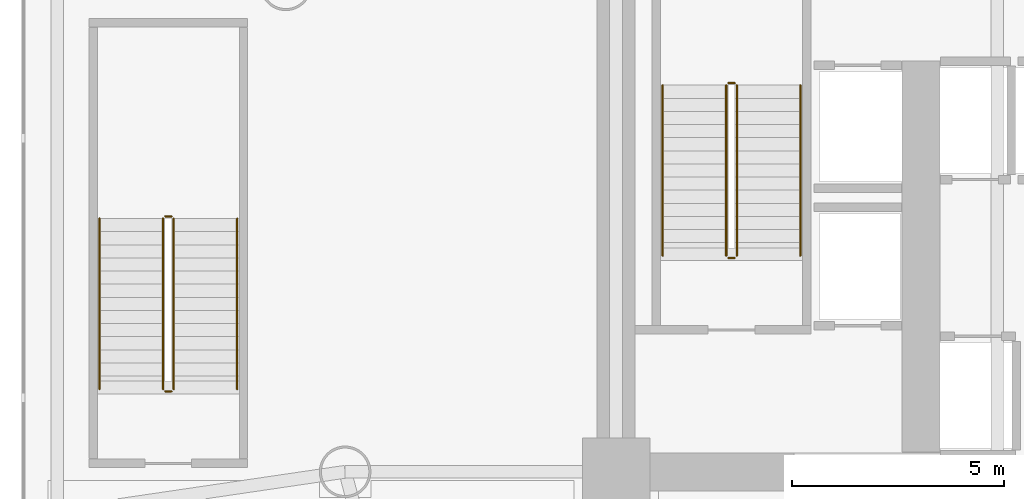
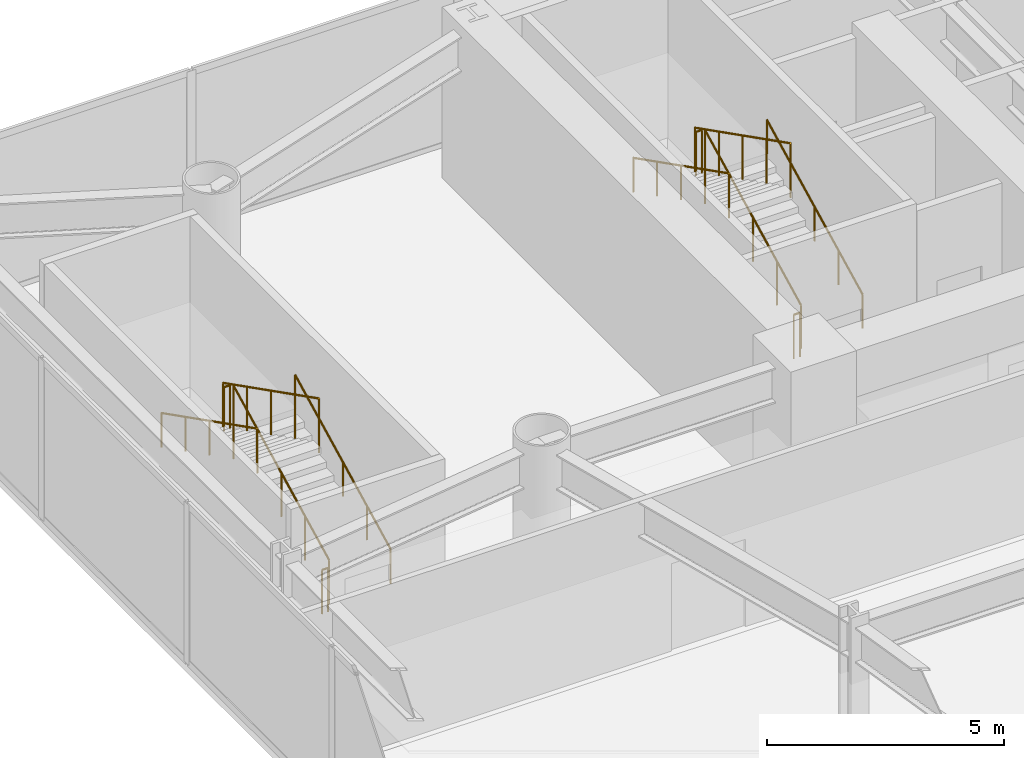
# One storey, part 21 of 24: 12 railings.
"""IFC4 building model written with IfcOpenShell, lengths in metres."""

import ifcopenshell
import ifcopenshell.guid

model = None  # the IFC model being written
_history = None  # IfcOwnerHistory: only IFC2X3 demands one
_inside = {}  # id of a spatial element -> (the spatial element, [elements in it])
_under = {}  # id of a project, library or spatial element -> (it, [spatial elements below it])
_declared = {}  # id of a project -> (the project, [libraries it declares])
_typed = {}  # id of a type object -> (the type object, [elements of that type])
_made_of = {}  # id of a material, layer set ... -> (it, [elements and type objects made of it])


def new_model(schema):
    """Start an empty IFC model of exactly this schema.

    Asked for "IFC4X3", IfcOpenShell would pick the latest addendum, in which some entities
    have other attributes; the version numbers below select the first issue.
    IFC2X3 requires an IfcOwnerHistory on every rooted entity: one is made here for all.
    """
    global model, _history
    if schema == "IFC4X3":
        model = ifcopenshell.file(schema_version=(4, 3, 0, 0))
    else:
        model = ifcopenshell.file(schema=schema)
    _inside.clear()
    _under.clear()
    _declared.clear()
    _typed.clear()
    _made_of.clear()
    _history = None
    if model.schema == "IFC2X3":
        org = make("IfcOrganization", Name="unknown")
        user = make(
            "IfcPersonAndOrganization",
            ThePerson=make("IfcPerson", FamilyName="unknown"),
            TheOrganization=org,
        )
        app = make(
            "IfcApplication",
            ApplicationDeveloper=org,
            Version="unknown",
            ApplicationFullName="unknown",
            ApplicationIdentifier="unknown",
        )
        _history = make(
            "IfcOwnerHistory",
            OwningUser=user,
            OwningApplication=app,
            ChangeAction="ADDED",
            CreationDate=0,
        )
    return model


def make(cls, **values):
    """One entity of the class cls with the attributes given. An attribute that is None is left unset."""
    return model.create_entity(
        cls, **{name: value for name, value in values.items() if value is not None}
    )


def rooted(cls, **values):
    """An entity with a GlobalId (a new one), such as an element, a storey or a relation."""
    return make(cls, GlobalId=ifcopenshell.guid.new(), OwnerHistory=_history, **values)


def si_unit(unit_type, name, prefix=None):
    """IfcSIUnit, for example si_unit("LENGTHUNIT", "METRE", prefix="MILLI")."""
    return make("IfcSIUnit", UnitType=unit_type, Prefix=prefix, Name=name)


def assignment(units):
    """IfcUnitAssignment: the units of a project."""
    return None if units is None else make("IfcUnitAssignment", Units=units)


def point(xyz):
    """IfcCartesianPoint."""
    return None if xyz is None else make("IfcCartesianPoint", Coordinates=xyz)


def direction(xyz):
    """IfcDirection."""
    return None if xyz is None else make("IfcDirection", DirectionRatios=xyz)


def frame(location, z_axis=None, x_axis=None):
    """IfcAxis2Placement3D, a coordinate frame: its origin and axes. An axis left out is left unset."""
    return make(
        "IfcAxis2Placement3D",
        Location=point(location),
        Axis=direction(z_axis),
        RefDirection=direction(x_axis),
    )


def frame_2d(location, x_axis=None):
    """IfcAxis2Placement2D, a coordinate frame in the plane: its origin and x axis."""
    return make(
        "IfcAxis2Placement2D", Location=point(location), RefDirection=direction(x_axis)
    )


def origin():
    """The frame at (0, 0, 0) with its axes left unset."""
    return frame((0.0, 0.0, 0.0))


def origin_2d():
    """The frame at (0, 0) in the plane with its x axis left unset."""
    return frame_2d((0.0, 0.0))


def place(relative_to, where):
    """IfcLocalPlacement: puts the frame where relative to a parent placement (None: the world)."""
    return make(
        "IfcLocalPlacement", PlacementRelTo=relative_to, RelativePlacement=where
    )


def context(
    kind, dimensions, precision=None, world=None, true_north=None, identifier=None
):
    """IfcGeometricRepresentationContext, for example the 3D "Model" context."""
    return make(
        "IfcGeometricRepresentationContext",
        ContextIdentifier=identifier,
        ContextType=kind,
        CoordinateSpaceDimension=dimensions,
        Precision=precision,
        WorldCoordinateSystem=world,
        TrueNorth=true_north,
    )


def subcontext(parent, identifier, kind, view, scale=None):
    """IfcGeometricRepresentationSubContext, for example "Body" below "Model"."""
    return make(
        "IfcGeometricRepresentationSubContext",
        ContextIdentifier=identifier,
        ContextType=kind,
        ParentContext=parent,
        TargetScale=scale,
        TargetView=view,
    )


def project(units=None, contexts=None):
    """IfcProject with its units and contexts."""
    return rooted(
        "IfcProject",
        Name="project",
        RepresentationContexts=contexts,
        UnitsInContext=assignment(units),
    )


def spatial(cls, under=None, at=None, **own):
    """A site, building, storey or space (cls), placed at a placement, below another one or the project."""
    s = rooted(cls, ObjectPlacement=at, **own)
    if under is not None:
        _under.setdefault(under.id(), (under, []))[1].append(s)
    return s


def profile(cls, at=None, kind="AREA", **sizes):
    """A parametric profile (cls). Its sizes go by their IFC names, for example OverallWidth=200.0."""
    return make(cls, ProfileType=kind, Position=at, **sizes)


def circle(**sizes):
    """IfcCircleProfileDef."""
    return profile("IfcCircleProfileDef", **sizes)


def extrude(swept, where, along, depth):
    """IfcExtrudedAreaSolid: the profile swept, set in the frame where, extruded along a direction by depth."""
    return make(
        "IfcExtrudedAreaSolid",
        SweptArea=swept,
        Position=where,
        ExtrudedDirection=direction(along),
        Depth=depth,
    )


def shape(context_of_items, identifier, shape_type, items):
    """IfcShapeRepresentation: the items that make up one representation, for example the "Body"."""
    return make(
        "IfcShapeRepresentation",
        ContextOfItems=context_of_items,
        RepresentationIdentifier=identifier,
        RepresentationType=shape_type,
        Items=items,
    )


def material(Name=None, Category=None):
    """IfcMaterial."""
    return make("IfcMaterial", Name=Name, Category=Category)


def made_of(thing, what):
    """Note that an element or type object is made of a material, layer set ...; save() writes the relation."""
    if what is not None:
        _made_of.setdefault(what.id(), (what, []))[1].append(thing)
    return thing


def type_object(cls, material=None, **own):
    """A type object (cls), such as IfcWallType, which elements share."""
    return made_of(rooted(cls, **own), material)


def element(
    cls,
    number,
    at=None,
    inside=None,
    cuts=None,
    type_object=None,
    material=None,
    context=None,
    identifier="Body",
    shape_type=None,
    held_by="IfcProductDefinitionShape",
    body=None,
    shapes=None,
    **own,
):
    """One element of the class cls, such as IfcWall. Its Tag is "e" and its number.

    at: its placement. inside: the storey or other place that contains it. cuts: it is an
    opening in that element (IfcRelVoidsElement). A single representation is given by context,
    identifier, shape_type and body (its items); several are given by shapes. held_by: the class
    of the entity that holds the representations. save() writes the other relations.
    """
    e = rooted(cls, Tag="e%d" % number, ObjectPlacement=at, **own)
    if body is not None:
        shapes = [shape(context, identifier, shape_type, body)]
    if shapes is not None:
        e.Representation = make(held_by, Representations=shapes)
    if inside is not None:
        _inside.setdefault(inside.id(), (inside, []))[1].append(e)
    if cuts is not None:
        rooted(
            "IfcRelVoidsElement", RelatingBuildingElement=cuts, RelatedOpeningElement=e
        )
    if type_object is not None:
        _typed.setdefault(type_object.id(), (type_object, []))[1].append(e)
    return made_of(e, material)


def aggregate(whole, parts):
    """IfcRelAggregates: a whole, such as a stair, and the parts it consists of."""
    return rooted("IfcRelAggregates", RelatingObject=whole, RelatedObjects=parts)


def save(model, path):
    """Write the relations noted so far, then the file.

    IfcRelAggregates (storeys below a building ...), IfcRelContainedInSpatialStructure (elements
    in a storey), IfcRelDefinesByType, IfcRelAssociatesMaterial and IfcRelDeclares: one each for
    every whole, place, type object, material and project.
    """
    for whole, parts in _under.values():
        aggregate(whole, parts)
    for where, things in _inside.values():
        rooted(
            "IfcRelContainedInSpatialStructure",
            RelatedElements=things,
            RelatingStructure=where,
        )
    for kind, things in _typed.values():
        rooted("IfcRelDefinesByType", RelatedObjects=things, RelatingType=kind)
    for what, things in _made_of.values():
        rooted("IfcRelAssociatesMaterial", RelatedObjects=things, RelatingMaterial=what)
    for by, libraries in _declared.values():
        rooted("IfcRelDeclares", RelatingContext=by, RelatedDefinitions=libraries)
    model.write(path)


model = new_model("IFC4")

# Units and contexts
model_context = context("Model", 3, precision=1e-05, world=origin(), true_north=direction((0.0, 1.0)))
body_context = subcontext(model_context, "Body", "Model", "MODEL_VIEW")
ifc_project = project(units=[si_unit("LENGTHUNIT", "METRE"), si_unit("AREAUNIT", "SQUARE_METRE"), si_unit("VOLUMEUNIT", "CUBIC_METRE"), si_unit("PLANEANGLEUNIT", "RADIAN"), si_unit("MASSUNIT", "GRAM", prefix="KILO")], contexts=[model_context])

# Site, building, storey
site_placement = place(None, origin())
site = spatial("IfcSite", under=ifc_project, at=site_placement, CompositionType="ELEMENT")
building_placement = place(site_placement, origin())
building = spatial("IfcBuilding", under=site, at=building_placement, Name="Vaeldorn Concourse Tower", CompositionType="ELEMENT")
storey_placement = place(building_placement, frame((0.0, 0.0, 10.0)))
storey = spatial("IfcBuildingStorey", under=building, at=storey_placement, Name="L02", CompositionType="ELEMENT", Elevation=10.0)

# Railings
ifc_material = material(Name="Anodised Bronze Aluminium", Category="aluminium")
railing_type_1 = type_object("IfcRailingType", Name="RL-STAIR-GUARD", PredefinedType="GUARDRAIL", material=ifc_material)
railing_1_placement = place(storey_placement, frame((16.85009765625, 41.60009765625, 0.1572265625)))
element("IfcRailing", 1, at=railing_1_placement, inside=storey, type_object=railing_type_1, Name="L02 ST-1 stair guard 1", PredefinedType="GUARDRAIL", context=body_context, shape_type="SweptSolid", body=[
    extrude(circle(Radius=0.02392578125, at=origin_2d()), frame((0.0, 0.0, 1.1259765625), z_axis=(0.0, 0.891949485669, 0.452135062801), x_axis=(-1.0, 0.0, 0.0)), (0.0, 0.0, 1.0), 4.51806640625),
    extrude(circle(Radius=0.02099609375, at=origin_2d()), origin(), (0.0, 0.0, 1.0), 1.101806640625),
    extrude(circle(Radius=0.02099609375, at=origin_2d()), frame((0.0, 1.00732421875, 0.5107421875)), (0.0, 0.0, 1.0), 1.101806640625),
    extrude(circle(Radius=0.02099609375, at=origin_2d()), frame((0.0, 2.014892578125, 1.021484375)), (0.0, 0.0, 1.0), 1.101806640625),
    extrude(circle(Radius=0.02099609375, at=origin_2d()), frame((0.0, 3.0224609375, 1.531982421875)), (0.0, 0.0, 1.0), 1.101806640625),
    extrude(circle(Radius=0.02099609375, at=origin_2d()), frame((0.0, 4.02978515625, 2.042724609375)), (0.0, 0.0, 1.0), 1.101806640625),
])
railing_2_placement = place(storey_placement, frame((16.800048828125, 45.679931640625, 2.199951171875)))
element("IfcRailing", 2, at=railing_2_placement, inside=storey, type_object=railing_type_1, Name="L02 ST-1 stair guard 2", PredefinedType="GUARDRAIL", context=body_context, shape_type="SweptSolid", body=[
    extrude(circle(Radius=0.02392578125, at=origin_2d()), frame((0.0, 0.0, 1.1259765625), z_axis=(-1.0, 0.0, 0.0), x_axis=(0.0, -1.0, 0.0)), (0.0, 0.0, 1.0), 0.150146484375),
    extrude(circle(Radius=0.02099609375, at=origin_2d()), origin(), (0.0, 0.0, 1.0), 1.101806640625),
    extrude(circle(Radius=0.02099609375, at=origin_2d()), frame((-0.150146484375, 0.0, 0.0)), (0.0, 0.0, 1.0), 1.101806640625),
])
railing_3_placement = place(storey_placement, frame((16.60009765625, 45.6298828125, 2.357177734375)))
element("IfcRailing", 3, at=railing_3_placement, inside=storey, type_object=railing_type_1, Name="L02 ST-1 stair guard 3", PredefinedType="GUARDRAIL", context=body_context, shape_type="SweptSolid", body=[
    extrude(circle(Radius=0.02392578125, at=origin_2d()), frame((0.0, 0.0, 1.1259765625), z_axis=(0.0, -0.891949485669, 0.452135062801), x_axis=(1.0, 0.0, 0.0)), (0.0, 0.0, 1.0), 4.51806640625),
    extrude(circle(Radius=0.02099609375, at=origin_2d()), origin(), (0.0, 0.0, 1.0), 1.101806640625),
    extrude(circle(Radius=0.02099609375, at=origin_2d()), frame((0.0, -1.00732421875, 0.5107421875)), (0.0, 0.0, 1.0), 1.101806640625),
    extrude(circle(Radius=0.02099609375, at=origin_2d()), frame((0.0, -2.014892578125, 1.021484375)), (0.0, 0.0, 1.0), 1.101806640625),
    extrude(circle(Radius=0.02099609375, at=origin_2d()), frame((0.0, -3.0224609375, 1.531982421875)), (0.0, 0.0, 1.0), 1.101806640625),
    extrude(circle(Radius=0.02099609375, at=origin_2d()), frame((0.0, -4.02978515625, 2.042724609375)), (0.0, 0.0, 1.0), 1.101806640625),
])
railing_4_placement = place(storey_placement, frame((16.800048828125, 41.550048828125, 0.0)))
element("IfcRailing", 4, at=railing_4_placement, inside=storey, type_object=railing_type_1, Name="L02 ST-1 stair guard 4", PredefinedType="GUARDRAIL", context=body_context, shape_type="SweptSolid", body=[
    extrude(circle(Radius=0.02392578125, at=origin_2d()), frame((0.0, 0.0, 1.1259765625), z_axis=(-1.0, 0.0, 0.0), x_axis=(0.0, -1.0, 0.0)), (0.0, 0.0, 1.0), 0.150146484375),
    extrude(circle(Radius=0.02099609375, at=origin_2d()), origin(), (0.0, 0.0, 1.0), 1.101806640625),
    extrude(circle(Radius=0.02099609375, at=origin_2d()), frame((-0.150146484375, 0.0, 0.0)), (0.0, 0.0, 1.0), 1.101806640625),
])
railing_5_placement = place(storey_placement, frame((3.550048828125, 38.449951171875, 0.1572265625)))
element("IfcRailing", 5, at=railing_5_placement, inside=storey, type_object=railing_type_1, Name="L02 ST-3 stair guard 1", PredefinedType="GUARDRAIL", context=body_context, shape_type="SweptSolid", body=[
    extrude(circle(Radius=0.02392578125, at=origin_2d()), frame((0.0, 0.0, 1.1259765625), z_axis=(0.0, 0.891960531628, 0.452113271226), x_axis=(-1.0, 0.0, 0.0)), (0.0, 0.0, 1.0), 4.51806640625),
    extrude(circle(Radius=0.02099609375, at=origin_2d()), origin(), (0.0, 0.0, 1.0), 1.101806640625),
    extrude(circle(Radius=0.02099609375, at=origin_2d()), frame((0.0, 1.007568359375, 0.5107421875)), (0.0, 0.0, 1.0), 1.101806640625),
    extrude(circle(Radius=0.02099609375, at=origin_2d()), frame((0.0, 2.01513671875, 1.021484375)), (0.0, 0.0, 1.0), 1.101806640625),
    extrude(circle(Radius=0.02099609375, at=origin_2d()), frame((0.0, 3.0224609375, 1.531982421875)), (0.0, 0.0, 1.0), 1.101806640625),
    extrude(circle(Radius=0.02099609375, at=origin_2d()), frame((0.0, 4.030029296875, 2.042724609375)), (0.0, 0.0, 1.0), 1.101806640625),
])
railing_6_placement = place(storey_placement, frame((3.5, 42.530029296875, 2.199951171875)))
element("IfcRailing", 6, at=railing_6_placement, inside=storey, type_object=railing_type_1, Name="L02 ST-3 stair guard 2", PredefinedType="GUARDRAIL", context=body_context, shape_type="SweptSolid", body=[
    extrude(circle(Radius=0.02392578125, at=origin_2d()), frame((0.0, 0.0, 1.1259765625), z_axis=(-1.0, 0.0, 0.0), x_axis=(0.0, -1.0, 0.0)), (0.0, 0.0, 1.0), 0.14990234375),
    extrude(circle(Radius=0.02099609375, at=origin_2d()), origin(), (0.0, 0.0, 1.0), 1.101806640625),
    extrude(circle(Radius=0.02099609375, at=origin_2d()), frame((-0.14990234375, 0.0, 0.0)), (0.0, 0.0, 1.0), 1.101806640625),
])
railing_7_placement = place(storey_placement, frame((3.300048828125, 42.47998046875, 2.357177734375)))
element("IfcRailing", 7, at=railing_7_placement, inside=storey, type_object=railing_type_1, Name="L02 ST-3 stair guard 3", PredefinedType="GUARDRAIL", context=body_context, shape_type="SweptSolid", body=[
    extrude(circle(Radius=0.02392578125, at=origin_2d()), frame((0.0, 0.0, 1.1259765625), z_axis=(0.0, -0.891960531628, 0.452113271226), x_axis=(1.0, 0.0, 0.0)), (0.0, 0.0, 1.0), 4.51806640625),
    extrude(circle(Radius=0.02099609375, at=origin_2d()), origin(), (0.0, 0.0, 1.0), 1.101806640625),
    extrude(circle(Radius=0.02099609375, at=origin_2d()), frame((0.0, -1.007568359375, 0.5107421875)), (0.0, 0.0, 1.0), 1.101806640625),
    extrude(circle(Radius=0.02099609375, at=origin_2d()), frame((0.0, -2.01513671875, 1.021484375)), (0.0, 0.0, 1.0), 1.101806640625),
    extrude(circle(Radius=0.02099609375, at=origin_2d()), frame((0.0, -3.0224609375, 1.531982421875)), (0.0, 0.0, 1.0), 1.101806640625),
    extrude(circle(Radius=0.02099609375, at=origin_2d()), frame((0.0, -4.030029296875, 2.042724609375)), (0.0, 0.0, 1.0), 1.101806640625),
])
railing_8_placement = place(storey_placement, frame((3.5, 38.39990234375, 0.0)))
element("IfcRailing", 8, at=railing_8_placement, inside=storey, type_object=railing_type_1, Name="L02 ST-3 stair guard 4", PredefinedType="GUARDRAIL", context=body_context, shape_type="SweptSolid", body=[
    extrude(circle(Radius=0.02392578125, at=origin_2d()), frame((0.0, 0.0, 1.1259765625), z_axis=(-1.0, 0.0, 0.0), x_axis=(0.0, -1.0, 0.0)), (0.0, 0.0, 1.0), 0.14990234375),
    extrude(circle(Radius=0.02099609375, at=origin_2d()), origin(), (0.0, 0.0, 1.0), 1.101806640625),
    extrude(circle(Radius=0.02099609375, at=origin_2d()), frame((-0.14990234375, 0.0, 0.0)), (0.0, 0.0, 1.0), 1.101806640625),
])
railing_type_2 = type_object("IfcRailingType", Name="RL-STAIR-HANDRAIL", PredefinedType="HANDRAIL", material=ifc_material)
railing_9_placement = place(storey_placement, frame((18.35009765625, 41.60009765625, 0.1572265625)))
element("IfcRailing", 9, at=railing_9_placement, inside=storey, type_object=railing_type_2, Name="L02 ST-1 stair handrail 1", PredefinedType="HANDRAIL", context=body_context, shape_type="SweptSolid", body=[
    extrude(circle(Radius=0.02392578125, at=origin_2d()), frame((0.0, 0.0, 0.8759765625), z_axis=(0.0, 0.891949485669, 0.452135062801), x_axis=(-1.0, 0.0, 0.0)), (0.0, 0.0, 1.0), 4.51806640625),
    extrude(circle(Radius=0.02099609375, at=origin_2d()), origin(), (0.0, 0.0, 1.0), 0.851806640625),
    extrude(circle(Radius=0.02099609375, at=origin_2d()), frame((0.0, 1.00732421875, 0.5107421875)), (0.0, 0.0, 1.0), 0.851806640625),
    extrude(circle(Radius=0.02099609375, at=origin_2d()), frame((0.0, 2.014892578125, 1.021484375)), (0.0, 0.0, 1.0), 0.851806640625),
    extrude(circle(Radius=0.02099609375, at=origin_2d()), frame((0.0, 3.0224609375, 1.531982421875)), (0.0, 0.0, 1.0), 0.851806640625),
    extrude(circle(Radius=0.02099609375, at=origin_2d()), frame((0.0, 4.02978515625, 2.042724609375)), (0.0, 0.0, 1.0), 0.851806640625),
])
railing_10_placement = place(storey_placement, frame((15.10009765625, 45.6298828125, 2.357177734375)))
element("IfcRailing", 10, at=railing_10_placement, inside=storey, type_object=railing_type_2, Name="L02 ST-1 stair handrail 2", PredefinedType="HANDRAIL", context=body_context, shape_type="SweptSolid", body=[
    extrude(circle(Radius=0.02392578125, at=origin_2d()), frame((0.0, 0.0, 0.8759765625), z_axis=(0.0, -0.891949485669, 0.452135062801), x_axis=(1.0, 0.0, 0.0)), (0.0, 0.0, 1.0), 4.51806640625),
    extrude(circle(Radius=0.02099609375, at=origin_2d()), origin(), (0.0, 0.0, 1.0), 0.851806640625),
    extrude(circle(Radius=0.02099609375, at=origin_2d()), frame((0.0, -1.00732421875, 0.5107421875)), (0.0, 0.0, 1.0), 0.851806640625),
    extrude(circle(Radius=0.02099609375, at=origin_2d()), frame((0.0, -2.014892578125, 1.021484375)), (0.0, 0.0, 1.0), 0.851806640625),
    extrude(circle(Radius=0.02099609375, at=origin_2d()), frame((0.0, -3.0224609375, 1.531982421875)), (0.0, 0.0, 1.0), 0.851806640625),
    extrude(circle(Radius=0.02099609375, at=origin_2d()), frame((0.0, -4.02978515625, 2.042724609375)), (0.0, 0.0, 1.0), 0.851806640625),
])
railing_11_placement = place(storey_placement, frame((5.050048828125, 38.449951171875, 0.1572265625)))
element("IfcRailing", 11, at=railing_11_placement, inside=storey, type_object=railing_type_2, Name="L02 ST-3 stair handrail 1", PredefinedType="HANDRAIL", context=body_context, shape_type="SweptSolid", body=[
    extrude(circle(Radius=0.02392578125, at=origin_2d()), frame((0.0, 0.0, 0.8759765625), z_axis=(0.0, 0.891960531628, 0.452113271226), x_axis=(-1.0, 0.0, 0.0)), (0.0, 0.0, 1.0), 4.51806640625),
    extrude(circle(Radius=0.02099609375, at=origin_2d()), origin(), (0.0, 0.0, 1.0), 0.851806640625),
    extrude(circle(Radius=0.02099609375, at=origin_2d()), frame((0.0, 1.007568359375, 0.5107421875)), (0.0, 0.0, 1.0), 0.851806640625),
    extrude(circle(Radius=0.02099609375, at=origin_2d()), frame((0.0, 2.01513671875, 1.021484375)), (0.0, 0.0, 1.0), 0.851806640625),
    extrude(circle(Radius=0.02099609375, at=origin_2d()), frame((0.0, 3.0224609375, 1.531982421875)), (0.0, 0.0, 1.0), 0.851806640625),
    extrude(circle(Radius=0.02099609375, at=origin_2d()), frame((0.0, 4.030029296875, 2.042724609375)), (0.0, 0.0, 1.0), 0.851806640625),
])
railing_12_placement = place(storey_placement, frame((1.800048828125, 42.47998046875, 2.357177734375)))
element("IfcRailing", 12, at=railing_12_placement, inside=storey, type_object=railing_type_2, Name="L02 ST-3 stair handrail 2", PredefinedType="HANDRAIL", context=body_context, shape_type="SweptSolid", body=[
    extrude(circle(Radius=0.02392578125, at=origin_2d()), frame((0.0, 0.0, 0.8759765625), z_axis=(0.0, -0.891960531628, 0.452113271226), x_axis=(1.0, 0.0, 0.0)), (0.0, 0.0, 1.0), 4.51806640625),
    extrude(circle(Radius=0.02099609375, at=origin_2d()), origin(), (0.0, 0.0, 1.0), 0.851806640625),
    extrude(circle(Radius=0.02099609375, at=origin_2d()), frame((0.0, -1.007568359375, 0.5107421875)), (0.0, 0.0, 1.0), 0.851806640625),
    extrude(circle(Radius=0.02099609375, at=origin_2d()), frame((0.0, -2.01513671875, 1.021484375)), (0.0, 0.0, 1.0), 0.851806640625),
    extrude(circle(Radius=0.02099609375, at=origin_2d()), frame((0.0, -3.0224609375, 1.531982421875)), (0.0, 0.0, 1.0), 0.851806640625),
    extrude(circle(Radius=0.02099609375, at=origin_2d()), frame((0.0, -4.030029296875, 2.042724609375)), (0.0, 0.0, 1.0), 0.851806640625),
])

save(model, "model.ifc")
